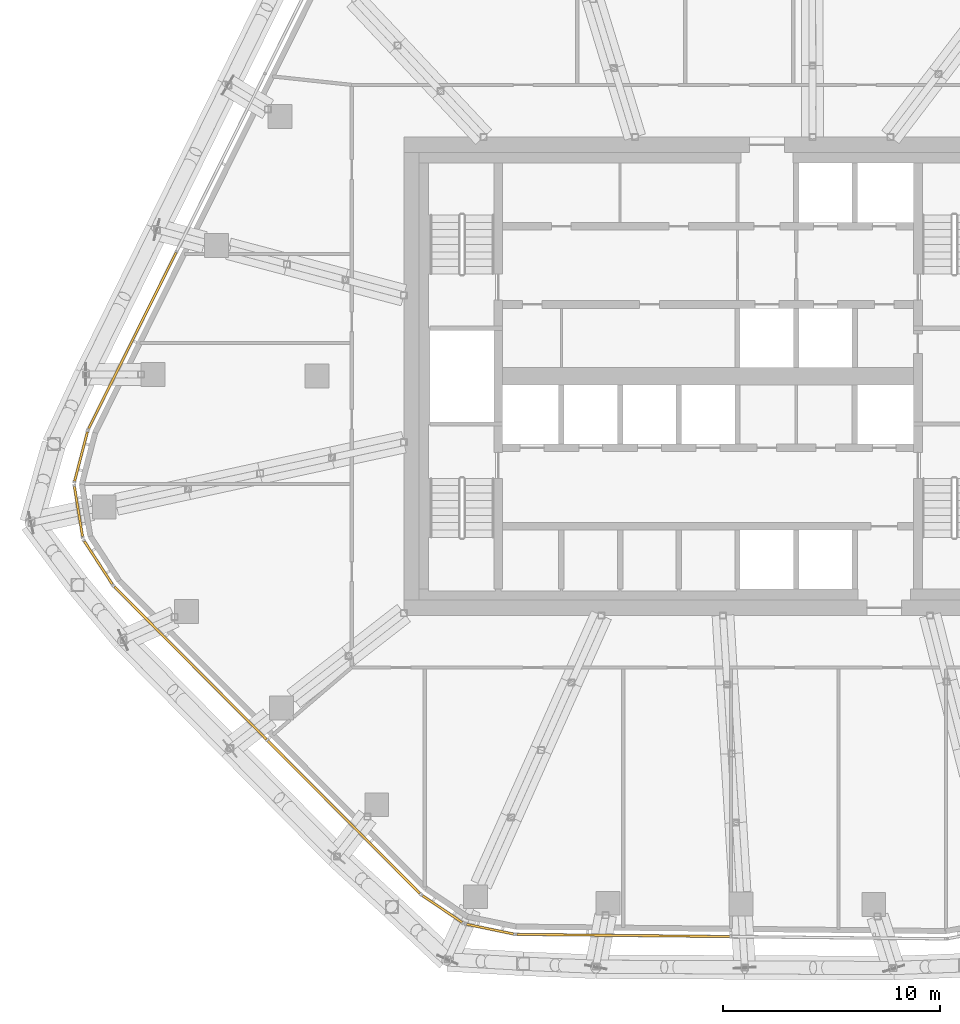
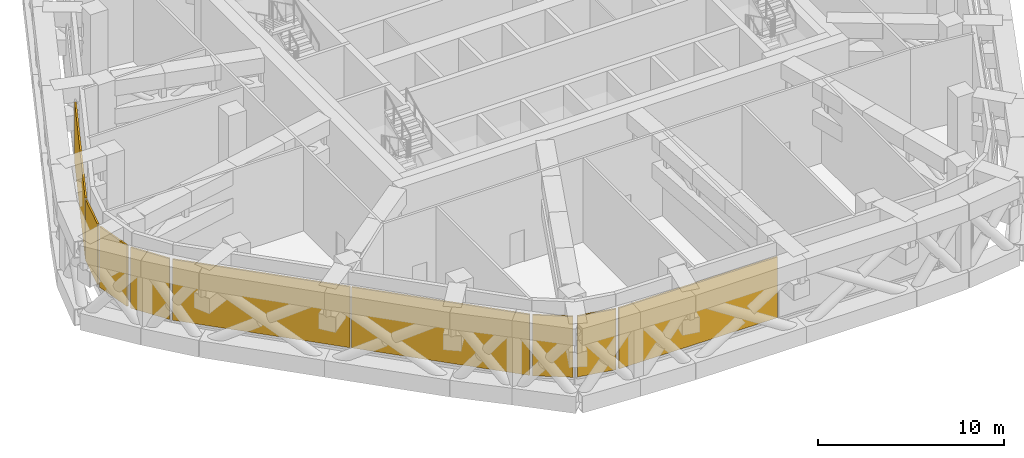
# One storey, part 25 of 31: 9 coverings, 5 elements without a shape of their own.
"""IFC4 building model written with IfcOpenShell, lengths in metres."""

from ifc_helpers import new_model, si_unit, direction, frame, origin, origin_2d, place, context, subcontext, project, spatial, rectangle, extrude, material, layer, layer_set, type_object, element, aggregate, save


model = new_model("IFC4")

# Units and contexts
model_context = context("Model", 3, precision=1e-05, world=origin(), true_north=direction((0.0, 1.0)))
body_context = subcontext(model_context, "Body", "Model", "MODEL_VIEW")
ifc_project = project(units=[si_unit("LENGTHUNIT", "METRE"), si_unit("AREAUNIT", "SQUARE_METRE"), si_unit("VOLUMEUNIT", "CUBIC_METRE"), si_unit("PLANEANGLEUNIT", "RADIAN"), si_unit("MASSUNIT", "GRAM", prefix="KILO")], contexts=[model_context])

# Site, building, storey
site_placement = place(None, origin())
site = spatial("IfcSite", under=ifc_project, at=site_placement, CompositionType="ELEMENT")
building_placement = place(site_placement, origin())
building = spatial("IfcBuilding", under=site, at=building_placement, Name="Dongbaek Canopy Tower", CompositionType="ELEMENT")
storey_placement = place(building_placement, frame((0.0, 0.0, 283.199951171875)))
storey = spatial("IfcBuildingStorey", under=building, at=storey_placement, Name="L60", CompositionType="ELEMENT", Elevation=283.199951171875)

# Curtain wall, covering
ifc_material_1 = material(Name="Aluminium 6063-T6 pale anodised", Category="aluminium")
ifc_layer_1 = layer(ifc_material_1, 0.14990234375)
ifc_layer_set_1 = layer_set([ifc_layer_1], Name="CW-7 louvre curtain wall")
curtain_wall_type = type_object("IfcCurtainWallType", Name="CW-7 louvre curtain wall", PredefinedType="NOTDEFINED", material=ifc_layer_set_1)
curtain_wall_1_placement = place(storey_placement, origin())
curtain_wall_1 = element("IfcCurtainWall", 1, at=curtain_wall_1_placement, inside=storey, type_object=curtain_wall_type, Name="CW-7 louvre wall L60 F2", PredefinedType="NOTDEFINED")
ifc_material_2 = material(Name="Aluminium 6063-T6 pale metal louvre blades", Category="aluminium")
ifc_layer_2 = layer(ifc_material_2, 0.10009765625)
ifc_layer_set_2 = layer_set([ifc_layer_2], Name="Louvre LV bank 100 x 4000")
covering_type = type_object("IfcCoveringType", Name="Louvre LV bank 100 x 4000", PredefinedType="CLADDING", material=ifc_layer_set_2)
covering_1_placement = place(storey_placement, frame((-26.48779296875, 1.64306640625, 0.775146484375), z_axis=(0.0, 0.0, 1.0), x_axis=(-0.444962031451, -0.895549435021, 0.0)))
covering_1 = element("IfcCovering", 2, at=covering_1_placement, type_object=covering_type, Name="Louvre L60 F2.1.3", PredefinedType="CLADDING", context=body_context, shape_type="SweptSolid", body=[
    extrude(rectangle(XDim=9.04443359375, YDim=0.10009765625, at=origin_2d()), origin(), (0.0, 0.0, 1.0), 4.0),
])
aggregate(curtain_wall_1, [covering_1])

# Curtain wall, coverings
curtain_wall_2_placement = place(storey_placement, origin())
curtain_wall_2 = element("IfcCurtainWall", 3, at=curtain_wall_2_placement, inside=storey, type_object=curtain_wall_type, Name="CW-7 louvre wall L60 K3", PredefinedType="NOTDEFINED")
covering_2_placement = place(storey_placement, frame((-28.8515625, -3.696044921875, 0.775146484375), z_axis=(0.0, 0.0, 1.0), x_axis=(-0.25097954757, -0.967992389795, 0.0)))
covering_2 = element("IfcCovering", 4, at=covering_2_placement, type_object=covering_type, Name="Louvre L60 K3.1.1", PredefinedType="CLADDING", context=body_context, shape_type="SweptSolid", body=[
    extrude(rectangle(XDim=2.35009765625, YDim=0.10009765625, at=origin_2d()), origin(), (0.0, 0.0, 1.0), 4.0),
])
covering_3_placement = place(storey_placement, frame((-28.969482421875, -6.219970703125, 0.775146484375), z_axis=(0.0, 0.0, 1.0), x_axis=(0.160490473121, -0.987037389382, 0.0)))
covering_3 = element("IfcCovering", 5, at=covering_3_placement, type_object=covering_type, Name="Louvre L60 K3.2.1", PredefinedType="CLADDING", context=body_context, shape_type="SweptSolid", body=[
    extrude(rectangle(XDim=2.33935546875, YDim=0.10009765625, at=origin_2d()), origin(), (0.0, 0.0, 1.0), 4.0),
])
covering_4_placement = place(storey_placement, frame((-28.05810546875, -8.576416015625, 0.775146484375), z_axis=(0.0, 0.0, 1.0), x_axis=(0.544730028706, -0.838611468933, 0.0)))
covering_4 = element("IfcCovering", 6, at=covering_4_placement, type_object=covering_type, Name="Louvre L60 K3.3.1", PredefinedType="CLADDING", context=body_context, shape_type="SweptSolid", body=[
    extrude(rectangle(XDim=2.35009765625, YDim=0.10009765625, at=origin_2d()), origin(), (0.0, 0.0, 1.0), 4.0),
])
aggregate(curtain_wall_2, [covering_2, covering_3, covering_4])

curtain_wall_3_placement = place(storey_placement, origin())
curtain_wall_3 = element("IfcCurtainWall", 7, at=curtain_wall_3_placement, inside=storey, type_object=curtain_wall_type, Name="CW-7 louvre wall L60 F3", PredefinedType="NOTDEFINED")
covering_5_placement = place(storey_placement, frame((-23.8173828125, -13.19970703125, 0.775146484375), z_axis=(0.0, 0.0, 1.0), x_axis=(0.705768233351, -0.708442799944, 0.0)))
covering_5 = element("IfcCovering", 8, at=covering_5_placement, type_object=covering_type, Name="Louvre L60 F3.1.1", PredefinedType="CLADDING", context=body_context, shape_type="SweptSolid", body=[
    extrude(rectangle(XDim=9.91455078125, YDim=0.10009765625, at=origin_2d()), origin(), (0.0, 0.0, 1.0), 4.0),
])
covering_6_placement = place(storey_placement, frame((-16.756591796875, -20.287353515625, 0.775146484375), z_axis=(0.0, 0.0, 1.0), x_axis=(0.705768233351, -0.708442799944, 0.0)))
covering_6 = element("IfcCovering", 9, at=covering_6_placement, type_object=covering_type, Name="Louvre L60 F3.1.2", PredefinedType="CLADDING", context=body_context, shape_type="SweptSolid", body=[
    extrude(rectangle(XDim=9.91455078125, YDim=0.10009765625, at=origin_2d()), origin(), (0.0, 0.0, 1.0), 4.0),
])
aggregate(curtain_wall_3, [covering_5, covering_6])

curtain_wall_4_placement = place(storey_placement, origin())
curtain_wall_4 = element("IfcCurtainWall", 10, at=curtain_wall_4_placement, inside=storey, type_object=curtain_wall_type, Name="CW-7 louvre wall L60 K4", PredefinedType="NOTDEFINED")
covering_7_placement = place(storey_placement, frame((-12.225830078125, -24.513427734375, 0.775146484375), z_axis=(0.0, 0.0, 1.0), x_axis=(0.829222679522, -0.55891837308, 0.0)))
covering_7 = element("IfcCovering", 11, at=covering_7_placement, type_object=covering_type, Name="Louvre L60 K4.1.1", PredefinedType="CLADDING", context=body_context, shape_type="SweptSolid", body=[
    extrude(rectangle(XDim=2.196533203125, YDim=0.10009765625, at=origin_2d()), origin(), (0.0, 0.0, 1.0), 4.0),
])
covering_8_placement = place(storey_placement, frame((-10.033935546875, -25.437255859375, 0.775146484375), z_axis=(0.0, 0.0, 1.0), x_axis=(0.979129372506, -0.203237968637, 0.0)))
covering_8 = element("IfcCovering", 12, at=covering_8_placement, type_object=covering_type, Name="Louvre L60 K4.2.1", PredefinedType="CLADDING", context=body_context, shape_type="SweptSolid", body=[
    extrude(rectangle(XDim=2.196533203125, YDim=0.10009765625, at=origin_2d()), origin(), (0.0, 0.0, 1.0), 4.0),
])
aggregate(curtain_wall_4, [covering_7, covering_8])

# Curtain wall, covering
curtain_wall_5_placement = place(storey_placement, origin())
curtain_wall_5 = element("IfcCurtainWall", 13, at=curtain_wall_5_placement, inside=storey, type_object=curtain_wall_type, Name="CW-7 louvre wall L60 F4", PredefinedType="NOTDEFINED")
covering_9_placement = place(storey_placement, frame((-3.90185546875, -25.728515625, 0.775146484375), z_axis=(0.0, 0.0, 1.0), x_axis=(0.999945344365, -0.010455060118, 0.0)))
covering_9 = element("IfcCovering", 14, at=covering_9_placement, type_object=covering_type, Name="Louvre L60 F4.1.1", PredefinedType="CLADDING", context=body_context, shape_type="SweptSolid", body=[
    extrude(rectangle(XDim=9.80078125, YDim=0.10009765625, at=origin_2d()), origin(), (0.0, 0.0, 1.0), 4.0),
])
aggregate(curtain_wall_5, [covering_9])

save(model, "model.ifc")
